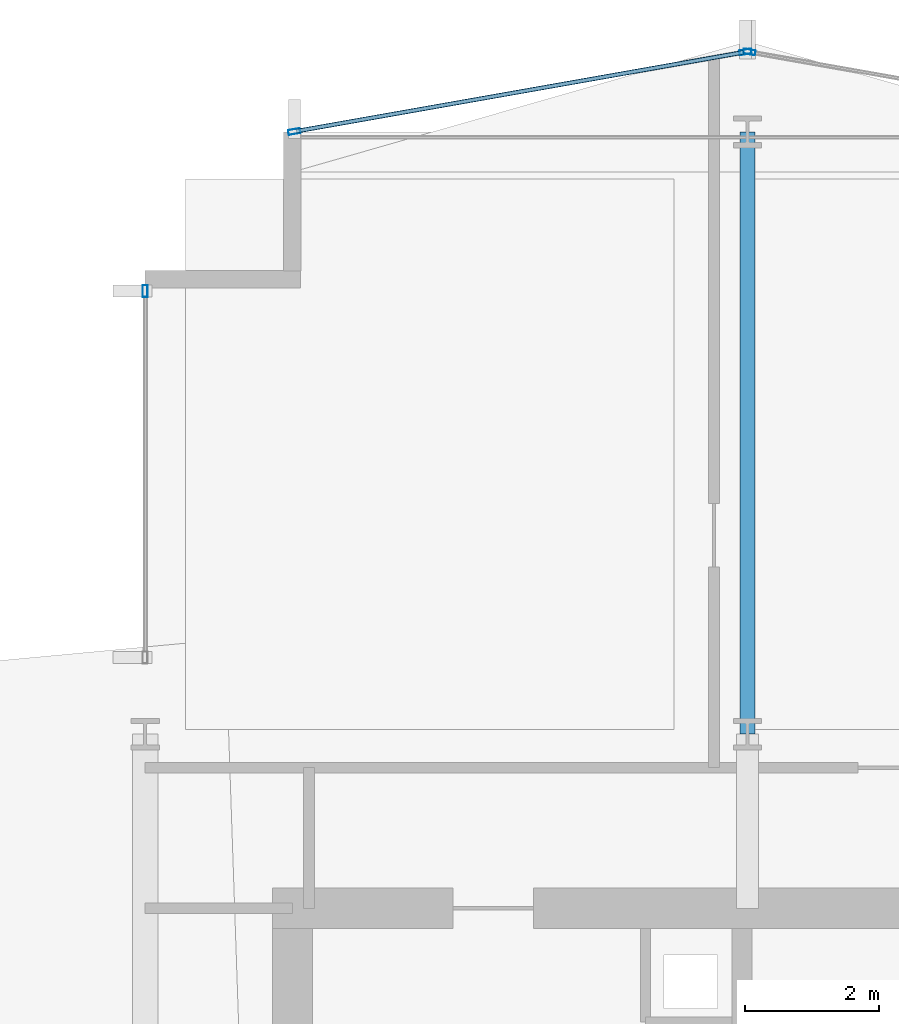
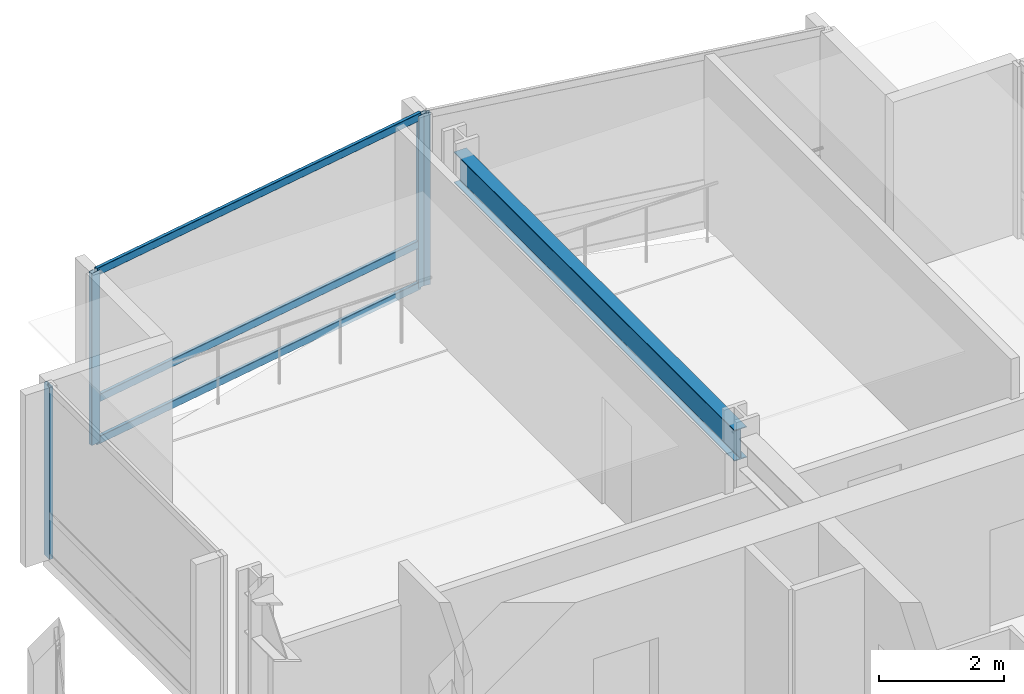
# One storey, part 23 of 34: 7 members, 1 beam, 3 elements without a shape of their own.
"""IFC4 building model written with IfcOpenShell, lengths in metres."""

from ifc_helpers import new_model, si_unit, direction, frame, origin, origin_2d, place, context, subcontext, project, spatial, hollow_rectangle, i_section, extrude, material, layer, layer_set, material_profile, profile_set, type_object, element, aggregate, save


model = new_model("IFC4")

# Units and contexts
model_context = context("Model", 3, precision=1e-05, world=origin(), true_north=direction((0.0, 1.0)))
body_context = subcontext(model_context, "Body", "Model", "MODEL_VIEW")
ifc_project = project(units=[si_unit("LENGTHUNIT", "METRE"), si_unit("AREAUNIT", "SQUARE_METRE"), si_unit("VOLUMEUNIT", "CUBIC_METRE"), si_unit("PLANEANGLEUNIT", "RADIAN"), si_unit("MASSUNIT", "GRAM", prefix="KILO")], contexts=[model_context])

# Site, building, storey
site_placement = place(None, origin())
site = spatial("IfcSite", under=ifc_project, at=site_placement, CompositionType="ELEMENT")
building_placement = place(site_placement, origin())
building = spatial("IfcBuilding", under=site, at=building_placement, Name="Solvaryn Broadcast Tower", CompositionType="ELEMENT")
storey_placement = place(building_placement, frame((0.0, 0.0, 96.5)))
storey = spatial("IfcBuildingStorey", under=building, at=storey_placement, Name="L23", CompositionType="ELEMENT", Elevation=96.5)

# Beam
ifc_material_1 = material(Name="Steel ASTM A992 Grade 50", Category="steel")
ifc_material_profile_1 = material_profile(ifc_material_1, i_section(OverallWidth=0.22802734375, OverallDepth=0.60791015625, WebThickness=0.01123046875, FlangeThickness=0.017333984375, FilletRadius=0.014892578125, at=origin_2d()))
ifc_profile_set_1 = profile_set([ifc_material_profile_1], Name="Steel ASTM A992 Grade 50")
beam_type = type_object("IfcBeamType", Name="BM-B2-W24X76", PredefinedType="BEAM", material=ifc_profile_set_1)
beam_placement = place(storey_placement, frame((18.0, 45.0, 3.06591796875), z_axis=(0.0, 1.0, 0.0), x_axis=(-1.0, 0.0, 0.0)))
element("IfcBeam", 1, at=beam_placement, inside=storey, type_object=beam_type, Name="L23 Primary Beam Y (45-54 @ X=18)", PredefinedType="BEAM", context=body_context, shape_type="SweptSolid", body=[
    extrude(i_section(OverallWidth=0.22802734375, OverallDepth=0.60791015625, WebThickness=0.01123046875, FlangeThickness=0.017333984375, FilletRadius=0.014892578125, at=origin_2d()), origin(), (0.0, 0.0, 1.0), 9.0),
])

# Curtain wall, member
ifc_material_2 = material(Name="Aluminium and Terracotta Unitised Curtain Wall", Category="masonry")
ifc_layer = layer(ifc_material_2, 0.199951171875)
ifc_layer_set = layer_set([ifc_layer], Name="CW-SYS2-LOWMID")
curtain_wall_type = type_object("IfcCurtainWallType", Name="CW-SYS2-LOWMID", PredefinedType="NOTDEFINED", material=ifc_layer_set)
curtain_wall_1_placement = place(storey_placement, origin())
curtain_wall_1 = element("IfcCurtainWall", 2, at=curtain_wall_1_placement, inside=storey, type_object=curtain_wall_type, Name="L23 Curtain Wall W2", PredefinedType="NOTDEFINED")
ifc_material_3 = material(Name="Anodised Aluminium 6063-T6", Category="aluminium")
ifc_material_profile_2 = material_profile(ifc_material_3, hollow_rectangle(XDim=0.074951171875, YDim=0.179931640625, WallThickness=0.00390625, InnerFilletRadius=0.00390625, OuterFilletRadius=0.008056640625, at=origin_2d()))
ifc_profile_set_2 = profile_set([ifc_material_profile_2], Name="Anodised Aluminium 6063-T6")
member_type_1 = type_object("IfcMemberType", Name="CW-MUL-180", PredefinedType="MULLION", material=ifc_profile_set_2)
member_1_placement = place(storey_placement, frame((9.0, 51.6201171875, 0.0), z_axis=(0.0, 0.0, 1.0), x_axis=(-1.0, 0.0, 0.0)))
member_1 = element("IfcMember", 3, at=member_1_placement, type_object=member_type_1, Name="CWS2 mullion 2", PredefinedType="MULLION", context=body_context, shape_type="SweptSolid", body=[
    extrude(hollow_rectangle(XDim=0.074951171875, YDim=0.179931640625, WallThickness=0.00390625, InnerFilletRadius=0.00390625, OuterFilletRadius=0.008056640625, at=origin_2d()), origin(), (0.0, 0.0, 1.0), 3.3701171875),
])
aggregate(curtain_wall_1, [member_1])

curtain_wall_2_placement = place(storey_placement, origin())
curtain_wall_2 = element("IfcCurtainWall", 4, at=curtain_wall_2_placement, inside=storey, type_object=curtain_wall_type, Name="L23 Curtain Wall NT1", PredefinedType="NOTDEFINED")
member_2_placement = place(storey_placement, frame((18.029541015625, 55.19482421875, 0.0), z_axis=(0.0, 0.0, 1.0), x_axis=(-0.173785333901, -0.984783558819, 0.0)))
member_2 = element("IfcMember", 5, at=member_2_placement, type_object=member_type_1, Name="CWS2 mullion 2", PredefinedType="MULLION", context=body_context, shape_type="SweptSolid", body=[
    extrude(hollow_rectangle(XDim=0.074951171875, YDim=0.179931640625, WallThickness=0.00390625, InnerFilletRadius=0.00390625, OuterFilletRadius=0.008056640625, at=origin_2d()), origin(), (0.0, 0.0, 1.0), 3.3701171875),
])
aggregate(curtain_wall_2, [member_2])

# Curtain wall, members
curtain_wall_3_placement = place(storey_placement, origin())
curtain_wall_3 = element("IfcCurtainWall", 6, at=curtain_wall_3_placement, inside=storey, type_object=curtain_wall_type, Name="L23 Curtain Wall NT2", PredefinedType="NOTDEFINED")
member_3_placement = place(storey_placement, frame((17.970458984375, 55.19482421875, 0.0), z_axis=(0.0, 0.0, 1.0), x_axis=(0.173785333901, -0.984783558819, 0.0)))
member_3 = element("IfcMember", 7, at=member_3_placement, type_object=member_type_1, Name="CWS2 mullion 1", PredefinedType="MULLION", context=body_context, shape_type="SweptSolid", body=[
    extrude(hollow_rectangle(XDim=0.074951171875, YDim=0.179931640625, WallThickness=0.00390625, InnerFilletRadius=0.00390625, OuterFilletRadius=0.008056640625, at=origin_2d()), origin(), (0.0, 0.0, 1.0), 3.3701171875),
])
member_4_placement = place(storey_placement, frame((11.2294921875, 54.005126953125, 0.0), z_axis=(0.0, 0.0, 1.0), x_axis=(0.173785333901, -0.984783558819, 0.0)))
member_4 = element("IfcMember", 8, at=member_4_placement, type_object=member_type_1, Name="CWS2 mullion 2", PredefinedType="MULLION", context=body_context, shape_type="SweptSolid", body=[
    extrude(hollow_rectangle(XDim=0.074951171875, YDim=0.179931640625, WallThickness=0.00390625, InnerFilletRadius=0.00390625, OuterFilletRadius=0.008056640625, at=origin_2d()), origin(), (0.0, 0.0, 1.0), 3.3701171875),
])
ifc_material_4 = material(Name="Anodised Aluminium 6063-T6", Category="aluminium")
ifc_material_profile_3 = material_profile(ifc_material_4, hollow_rectangle(XDim=0.06494140625, YDim=0.14990234375, WallThickness=0.00390625, InnerFilletRadius=0.00390625, OuterFilletRadius=0.008056640625, at=origin_2d()))
ifc_profile_set_3 = profile_set([ifc_material_profile_3], Name="Anodised Aluminium 6063-T6")
member_type_2 = type_object("IfcMemberType", Name="CW-TRN-150", PredefinedType="USERDEFINED", material=ifc_profile_set_3)
member_5_placement = place(storey_placement, frame((17.94091796875, 55.189453125, 0.030029296875), z_axis=(-0.984788629673, -0.173756596613, 0.0), x_axis=(0.173756596613, -0.984788629673, 0.0)))
member_5 = element("IfcMember", 9, at=member_5_placement, type_object=member_type_2, Name="CWS2 transom 1.1", ObjectType="TRANSOM", PredefinedType="USERDEFINED", context=body_context, shape_type="SweptSolid", body=[
    extrude(hollow_rectangle(XDim=0.06494140625, YDim=0.14990234375, WallThickness=0.00390625, InnerFilletRadius=0.00390625, OuterFilletRadius=0.008056640625, at=origin_2d()), origin(), (0.0, 0.0, 1.0), 6.78515625),
])
member_6_placement = place(storey_placement, frame((17.94091796875, 55.189453125, 0.85009765625), z_axis=(-0.984788629673, -0.173756596613, 0.0), x_axis=(0.173756596613, -0.984788629673, 0.0)))
member_6 = element("IfcMember", 10, at=member_6_placement, type_object=member_type_2, Name="CWS2 transom 1.2", ObjectType="TRANSOM", PredefinedType="USERDEFINED", context=body_context, shape_type="SweptSolid", body=[
    extrude(hollow_rectangle(XDim=0.06494140625, YDim=0.14990234375, WallThickness=0.00390625, InnerFilletRadius=0.00390625, OuterFilletRadius=0.008056640625, at=origin_2d()), origin(), (0.0, 0.0, 1.0), 6.78515625),
])
member_7_placement = place(storey_placement, frame((17.94091796875, 55.189453125, 3.340087890625), z_axis=(-0.984788629673, -0.173756596613, 0.0), x_axis=(0.173756596613, -0.984788629673, 0.0)))
member_7 = element("IfcMember", 11, at=member_7_placement, type_object=member_type_2, Name="CWS2 transom 1.3", ObjectType="TRANSOM", PredefinedType="USERDEFINED", context=body_context, shape_type="SweptSolid", body=[
    extrude(hollow_rectangle(XDim=0.06494140625, YDim=0.14990234375, WallThickness=0.00390625, InnerFilletRadius=0.00390625, OuterFilletRadius=0.008056640625, at=origin_2d()), origin(), (0.0, 0.0, 1.0), 6.78515625),
])
aggregate(curtain_wall_3, [member_3, member_4, member_5, member_6, member_7])

save(model, "model.ifc")
